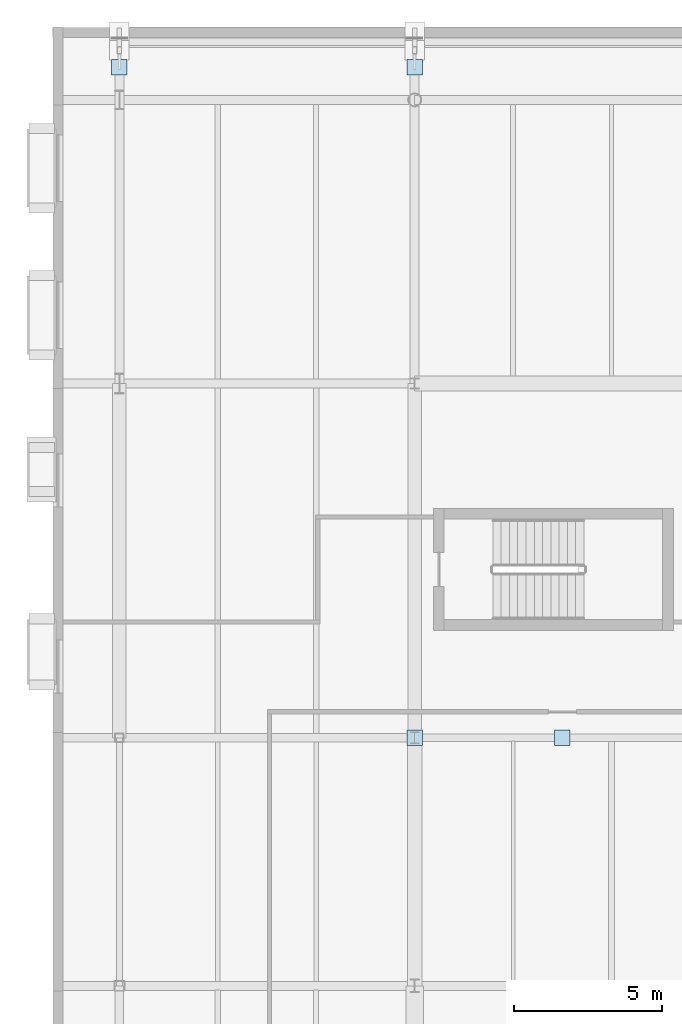
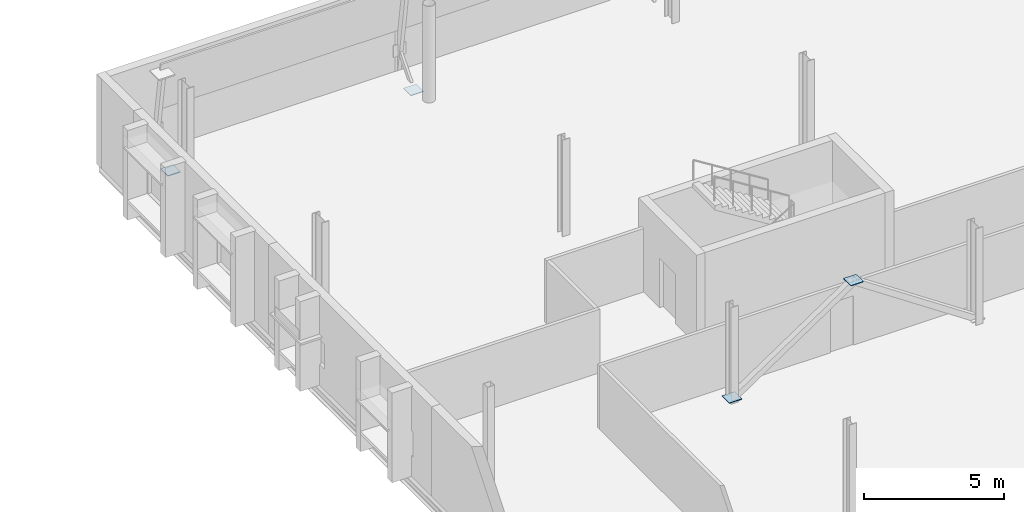
# One storey, part 55 of 90: 4 plates.
"""IFC4 building model written with IfcOpenShell, lengths in metres."""

from ifc_helpers import new_model, si_unit, direction, frame, origin, origin_2d, place, context, subcontext, project, spatial, rectangle, extrude, material, layer, layer_set, type_object, element, save


model = new_model("IFC4")

# Units and contexts
model_context = context("Model", 3, precision=1e-05, world=origin(), true_north=direction((0.0, 1.0)))
body_context = subcontext(model_context, "Body", "Model", "MODEL_VIEW")
ifc_project = project(units=[si_unit("LENGTHUNIT", "METRE"), si_unit("AREAUNIT", "SQUARE_METRE"), si_unit("VOLUMEUNIT", "CUBIC_METRE"), si_unit("PLANEANGLEUNIT", "RADIAN"), si_unit("MASSUNIT", "GRAM", prefix="KILO")], contexts=[model_context])

# Site, building, storey
site_placement = place(None, origin())
site = spatial("IfcSite", under=ifc_project, at=site_placement, CompositionType="ELEMENT")
building_placement = place(site_placement, origin())
building = spatial("IfcBuilding", under=site, at=building_placement, Name="Zereglee Splitstone Museum", CompositionType="ELEMENT")
storey_placement = place(building_placement, frame((0.0, 0.0, 4.800048828125)))
storey = spatial("IfcBuildingStorey", under=building, at=storey_placement, Name="L01", CompositionType="ELEMENT", Elevation=4.800048828125)

# Plates
ifc_material = material(Name="Steel S355J2", Category="steel")
ifc_layer = layer(ifc_material, 0.030029296875)
ifc_layer_set = layer_set([ifc_layer], Name="Steel S355J2")
plate_type = type_object("IfcPlateType", Name="NP-04", PredefinedType="SHEET", material=ifc_layer_set)
for number, where, z_axis, x_axis, name in (
    (1, (185.199951171875, 38.39990234375, 0.10498046875), (0.0, 0.0, 1.0), (1.0, 0.0, 0.0), "CBF Brace Gusset Cap L01-020"),
    (2, (190.199951171875, 38.39990234375, 3.46484375), (0.0, 0.0, 1.0), (1.0, 0.0, 0.0), "CBF Brace Gusset Cap L01-020"),
    (3, (175.199951171875, 61.10009765625, -0.27490234375), (0.0, 0.0, 1.0), (1.0, 0.0, 0.0), "Facet Tie Seal Plate FH-V4N"),
    (4, (185.199951171875, 61.10009765625, -0.27490234375), (0.0, 0.0, 1.0), (1.0, 0.0, 0.0), "Facet Tie Seal Plate FH-V4N"),
):
    element("IfcPlate", number, at=place(storey_placement, frame(where, z_axis=z_axis, x_axis=x_axis)), inside=storey, type_object=plate_type, Name=name, PredefinedType="SHEET", context=body_context, shape_type="SweptSolid", body=[
        extrude(rectangle(XDim=0.52001953125, YDim=0.52001953125, at=origin_2d()), origin(), (0.0, 0.0, 1.0), 0.030029296875),
    ])

save(model, "model.ifc")
